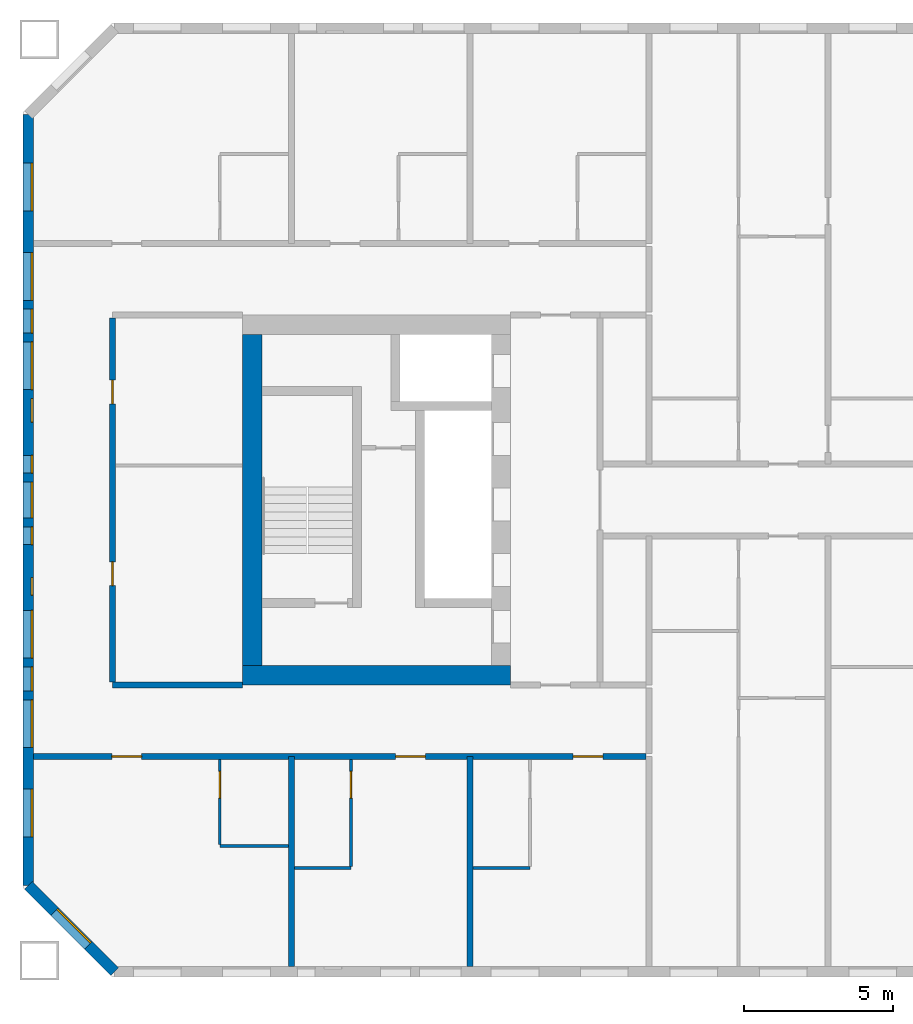
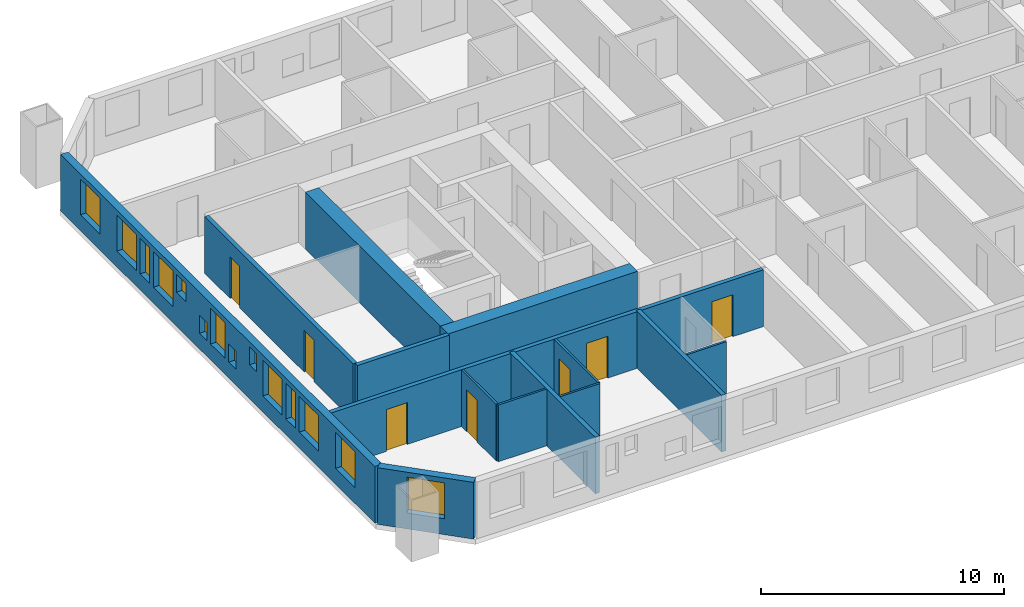
# One storey, part 2 of 17: 14 walls, 14 windows, 7 doors, 21 openings.
"""IFC4 building model written with IfcOpenShell, lengths in metres."""

from ifc_helpers import new_model, si_unit, direction, frame, frame_2d, origin, place, context, subcontext, project, spatial, rectangle, extrude, material, layer, layer_set, type_object, element, fill, save


model = new_model("IFC4")

# Units and contexts
model_context = context("Model", 3, precision=1e-05, world=origin(), true_north=direction((0.0, 1.0)))
body_context = subcontext(model_context, "Body", "Model", "MODEL_VIEW")
ifc_project = project(units=[si_unit("LENGTHUNIT", "METRE"), si_unit("AREAUNIT", "SQUARE_METRE"), si_unit("VOLUMEUNIT", "CUBIC_METRE"), si_unit("PLANEANGLEUNIT", "RADIAN"), si_unit("MASSUNIT", "GRAM", prefix="KILO")], contexts=[model_context])

# Site, building, storey
site_placement = place(None, origin())
site = spatial("IfcSite", under=ifc_project, at=site_placement, CompositionType="ELEMENT")
building_placement = place(site_placement, origin())
building = spatial("IfcBuilding", under=site, at=building_placement, Name="Tuart Gate Housing", CompositionType="ELEMENT")
storey_placement = place(building_placement, frame((0.0, 0.0, 102.60009765625)))
storey = spatial("IfcBuildingStorey", under=building, at=storey_placement, Name="L28", CompositionType="ELEMENT", Elevation=102.60009765625)

# Wall, opening, window
ifc_material_1 = material(Name="Brick", Category="masonry")
ifc_layer_1 = layer(ifc_material_1, 0.360107421875)
ifc_layer_set_1 = layer_set([ifc_layer_1], Name="Brick pier and spandrel wall 360")
wall_type_1 = type_object("IfcWallType", Name="Brick pier and spandrel wall 360", PredefinedType="STANDARD", material=ifc_layer_set_1)
wall_1_placement = place(storey_placement, frame((25.179931640625, 57.07470703125, 0.0), z_axis=(0.0, 0.0, 1.0), x_axis=(0.707106781187, -0.707106781187, 0.0)))
wall_1 = element("IfcWall", 1, at=wall_1_placement, inside=storey, type_object=wall_type_1, Name="External wall A-SW L28", PredefinedType="STANDARD", context=body_context, shape_type="SweptSolid", body=[
    extrude(rectangle(XDim=4.09375, YDim=0.360107421875, at=frame_2d((2.046875, 0.0))), origin(), (0.0, 0.0, 1.0), 2.849853515625),
])
opening_1_placement = place(wall_1_placement, frame((1.2470703125, 0.0, 0.800048828125)))
opening_1 = element("IfcOpeningElement", 2, at=opening_1_placement, cuts=wall_1, Name="Opening W1", PredefinedType="OPENING", context=body_context, shape_type="SweptSolid", body=[
    extrude(rectangle(XDim=1.60009765625, YDim=1.800048828125, at=frame_2d((0.800048828125, 0.89990234375))), frame((0.0, 0.18994140625, 0.0), z_axis=(0.0, -1.0, 0.0), x_axis=(1.0, 0.0, 0.0)), (0.0, 0.0, 1.0), 0.380126953125),
])
ifc_material_2 = material(Name="Aluminium frame with clear glass", Category="aluminium")
window_type_1 = type_object("IfcWindowType", Name="Punched window 1600 x 1800", PartitioningType="SINGLE_PANEL", PredefinedType="WINDOW", material=ifc_material_2)
window_1_placement = place(opening_1_placement, origin())
window_1 = element("IfcWindow", 3, at=window_1_placement, inside=storey, type_object=window_type_1, Name="Window W1", OverallHeight=1.800048828125, OverallWidth=1.60009765625, PartitioningType="SINGLE_PANEL", PredefinedType="WINDOW", context=body_context, shape_type="SweptSolid", body=[
    extrude(rectangle(XDim=1.60009765625, YDim=1.800048828125, at=frame_2d((0.800048828125, 0.89990234375))), frame((0.0, 0.150146484375, 0.0), z_axis=(0.0, -1.0, 0.0), x_axis=(1.0, 0.0, 0.0)), (0.0, 0.0, 1.0), 0.06005859375),
])
fill(opening_1, window_1)

# Wall, openings, windows
wall_2_placement = place(storey_placement, frame((25.179931640625, 82.92529296875, 0.0), z_axis=(0.0, 0.0, 1.0), x_axis=(0.0, -1.0, 0.0)))
wall_2 = element("IfcWall", 4, at=wall_2_placement, inside=storey, type_object=wall_type_1, Name="External wall A-W L28", PredefinedType="STANDARD", context=body_context, shape_type="SweptSolid", body=[
    extrude(rectangle(XDim=25.850830078125, YDim=0.360107421875, at=frame_2d((12.92529296875, 0.0))), origin(), (0.0, 0.0, 1.0), 2.849853515625),
])
opening_2_placement = place(wall_2_placement, frame((1.62548828125, 0.0, 0.800048828125)))
opening_2 = element("IfcOpeningElement", 5, at=opening_2_placement, cuts=wall_2, Name="Opening W1", PredefinedType="OPENING", context=body_context, shape_type="SweptSolid", body=[
    extrude(rectangle(XDim=1.60009765625, YDim=1.800048828125, at=frame_2d((0.800048828125, 0.89990234375))), frame((0.0, 0.18994140625, 0.0), z_axis=(0.0, -1.0, 0.0), x_axis=(1.0, 0.0, 0.0)), (0.0, 0.0, 1.0), 0.380126953125),
])
opening_3_placement = place(wall_2_placement, frame((4.62548828125, 0.0, 0.800048828125)))
opening_3 = element("IfcOpeningElement", 6, at=opening_3_placement, cuts=wall_2, Name="Opening W1", PredefinedType="OPENING", context=body_context, shape_type="SweptSolid", body=[
    extrude(rectangle(XDim=1.60009765625, YDim=1.800048828125, at=frame_2d((0.800048828125, 0.89990234375))), frame((0.0, 0.18994140625, 0.0), z_axis=(0.0, -1.0, 0.0), x_axis=(1.0, 0.0, 0.0)), (0.0, 0.0, 1.0), 0.380126953125),
])
opening_4_placement = place(wall_2_placement, frame((7.62548828125, 0.0, 0.800048828125)))
opening_4 = element("IfcOpeningElement", 7, at=opening_4_placement, cuts=wall_2, Name="Opening W1", PredefinedType="OPENING", context=body_context, shape_type="SweptSolid", body=[
    extrude(rectangle(XDim=1.60009765625, YDim=1.800048828125, at=frame_2d((0.800048828125, 0.89990234375))), frame((0.0, 0.18994140625, 0.0), z_axis=(0.0, -1.0, 0.0), x_axis=(1.0, 0.0, 0.0)), (0.0, 0.0, 1.0), 0.380126953125),
])
opening_5_placement = place(wall_2_placement, frame((6.525390625, 0.0, 0.800048828125)))
opening_5 = element("IfcOpeningElement", 8, at=opening_5_placement, cuts=wall_2, Name="Opening W1D", PredefinedType="OPENING", context=body_context, shape_type="SweptSolid", body=[
    extrude(rectangle(XDim=0.800048828125, YDim=1.800048828125, at=frame_2d((0.39990234375, 0.89990234375))), frame((0.0, 0.18994140625, 0.0), z_axis=(0.0, -1.0, 0.0), x_axis=(1.0, 0.0, 0.0)), (0.0, 0.0, 1.0), 0.380126953125),
])
opening_6_placement = place(wall_2_placement, frame((9.525390625, 0.0, 1.699951171875)))
opening_6 = element("IfcOpeningElement", 9, at=opening_6_placement, cuts=wall_2, Name="Opening W1V", PredefinedType="OPENING", context=body_context, shape_type="SweptSolid", body=[
    extrude(rectangle(XDim=0.800048828125, YDim=0.89990234375, at=frame_2d((0.39990234375, 0.449951171875))), frame((0.0, 0.18994140625, 0.0), z_axis=(0.0, -1.0, 0.0), x_axis=(1.0, 0.0, 0.0)), (0.0, 0.0, 1.0), 0.380126953125),
])
opening_7_placement = place(wall_2_placement, frame((16.62548828125, 0.0, 0.800048828125)))
opening_7 = element("IfcOpeningElement", 10, at=opening_7_placement, cuts=wall_2, Name="Opening W1", PredefinedType="OPENING", context=body_context, shape_type="SweptSolid", body=[
    extrude(rectangle(XDim=1.60009765625, YDim=1.800048828125, at=frame_2d((0.800048828125, 0.89990234375))), frame((0.0, 0.18994140625, 0.0), z_axis=(0.0, -1.0, 0.0), x_axis=(1.0, 0.0, 0.0)), (0.0, 0.0, 1.0), 0.380126953125),
])
opening_8_placement = place(wall_2_placement, frame((19.62548828125, 0.0, 0.800048828125)))
opening_8 = element("IfcOpeningElement", 11, at=opening_8_placement, cuts=wall_2, Name="Opening W1", PredefinedType="OPENING", context=body_context, shape_type="SweptSolid", body=[
    extrude(rectangle(XDim=1.60009765625, YDim=1.800048828125, at=frame_2d((0.800048828125, 0.89990234375))), frame((0.0, 0.18994140625, 0.0), z_axis=(0.0, -1.0, 0.0), x_axis=(1.0, 0.0, 0.0)), (0.0, 0.0, 1.0), 0.380126953125),
])
opening_9_placement = place(wall_2_placement, frame((22.62548828125, 0.0, 0.800048828125)))
opening_9 = element("IfcOpeningElement", 12, at=opening_9_placement, cuts=wall_2, Name="Opening W1", PredefinedType="OPENING", context=body_context, shape_type="SweptSolid", body=[
    extrude(rectangle(XDim=1.60009765625, YDim=1.800048828125, at=frame_2d((0.800048828125, 0.89990234375))), frame((0.0, 0.18994140625, 0.0), z_axis=(0.0, -1.0, 0.0), x_axis=(1.0, 0.0, 0.0)), (0.0, 0.0, 1.0), 0.380126953125),
])
opening_10_placement = place(wall_2_placement, frame((11.42529296875, 0.0, 0.800048828125)))
opening_10 = element("IfcOpeningElement", 13, at=opening_10_placement, cuts=wall_2, Name="Opening W1W", PredefinedType="OPENING", context=body_context, shape_type="SweptSolid", body=[
    extrude(rectangle(XDim=0.60009765625, YDim=0.89990234375, at=frame_2d((0.300048828125, 0.449951171875))), frame((0.0, 0.18994140625, 0.0), z_axis=(0.0, -1.0, 0.0), x_axis=(1.0, 0.0, 0.0)), (0.0, 0.0, 1.0), 0.380126953125),
])
opening_11_placement = place(wall_2_placement, frame((12.325439453125, 0.0, 0.800048828125)))
opening_11 = element("IfcOpeningElement", 14, at=opening_11_placement, cuts=wall_2, Name="Opening W1B", PredefinedType="OPENING", context=body_context, shape_type="SweptSolid", body=[
    extrude(rectangle(XDim=1.199951171875, YDim=1.800048828125, at=frame_2d((0.60009765625, 0.89990234375))), frame((0.0, 0.18994140625, 0.0), z_axis=(0.0, -1.0, 0.0), x_axis=(1.0, 0.0, 0.0)), (0.0, 0.0, 1.0), 0.380126953125),
])
opening_12_placement = place(wall_2_placement, frame((13.825439453125, 0.0, 0.800048828125)))
opening_12 = element("IfcOpeningElement", 15, at=opening_12_placement, cuts=wall_2, Name="Opening W1W", PredefinedType="OPENING", context=body_context, shape_type="SweptSolid", body=[
    extrude(rectangle(XDim=0.60009765625, YDim=0.89990234375, at=frame_2d((0.300048828125, 0.449951171875))), frame((0.0, 0.18994140625, 0.0), z_axis=(0.0, -1.0, 0.0), x_axis=(1.0, 0.0, 0.0)), (0.0, 0.0, 1.0), 0.380126953125),
])
opening_13_placement = place(wall_2_placement, frame((15.525390625, 0.0, 1.699951171875)))
opening_13 = element("IfcOpeningElement", 16, at=opening_13_placement, cuts=wall_2, Name="Opening W1W", PredefinedType="OPENING", context=body_context, shape_type="SweptSolid", body=[
    extrude(rectangle(XDim=0.60009765625, YDim=0.89990234375, at=frame_2d((0.300048828125, 0.449951171875))), frame((0.0, 0.18994140625, 0.0), z_axis=(0.0, -1.0, 0.0), x_axis=(1.0, 0.0, 0.0)), (0.0, 0.0, 1.0), 0.380126953125),
])
opening_14_placement = place(wall_2_placement, frame((18.525390625, 0.0, 0.800048828125)))
opening_14 = element("IfcOpeningElement", 17, at=opening_14_placement, cuts=wall_2, Name="Opening W1D", PredefinedType="OPENING", context=body_context, shape_type="SweptSolid", body=[
    extrude(rectangle(XDim=0.800048828125, YDim=1.800048828125, at=frame_2d((0.39990234375, 0.89990234375))), frame((0.0, 0.18994140625, 0.0), z_axis=(0.0, -1.0, 0.0), x_axis=(1.0, 0.0, 0.0)), (0.0, 0.0, 1.0), 0.380126953125),
])
ifc_material_3 = material(Name="Aluminium frame with clear glass", Category="aluminium")
window_type_2 = type_object("IfcWindowType", Name="Punched window 1200 x 1800", PartitioningType="SINGLE_PANEL", PredefinedType="WINDOW", material=ifc_material_3)
window_2_placement = place(opening_11_placement, origin())
window_2 = element("IfcWindow", 18, at=window_2_placement, inside=storey, type_object=window_type_2, Name="Window W1B", OverallHeight=1.800048828125, OverallWidth=1.199951171875, PartitioningType="SINGLE_PANEL", PredefinedType="WINDOW", context=body_context, shape_type="SweptSolid", body=[
    extrude(rectangle(XDim=1.199951171875, YDim=1.800048828125, at=frame_2d((0.60009765625, 0.89990234375))), frame((0.0, 0.150146484375, 0.0), z_axis=(0.0, -1.0, 0.0), x_axis=(1.0, 0.0, 0.0)), (0.0, 0.0, 1.0), 0.06005859375),
])
fill(opening_11, window_2)
window_3_placement = place(opening_2_placement, origin())
window_3 = element("IfcWindow", 19, at=window_3_placement, inside=storey, type_object=window_type_1, Name="Window W1", OverallHeight=1.800048828125, OverallWidth=1.60009765625, PartitioningType="SINGLE_PANEL", PredefinedType="WINDOW", context=body_context, shape_type="SweptSolid", body=[
    extrude(rectangle(XDim=1.60009765625, YDim=1.800048828125, at=frame_2d((0.800048828125, 0.89990234375))), frame((0.0, 0.150146484375, 0.0), z_axis=(0.0, -1.0, 0.0), x_axis=(1.0, 0.0, 0.0)), (0.0, 0.0, 1.0), 0.06005859375),
])
fill(opening_2, window_3)
window_4_placement = place(opening_3_placement, origin())
window_4 = element("IfcWindow", 20, at=window_4_placement, inside=storey, type_object=window_type_1, Name="Window W1", OverallHeight=1.800048828125, OverallWidth=1.60009765625, PartitioningType="SINGLE_PANEL", PredefinedType="WINDOW", context=body_context, shape_type="SweptSolid", body=[
    extrude(rectangle(XDim=1.60009765625, YDim=1.800048828125, at=frame_2d((0.800048828125, 0.89990234375))), frame((0.0, 0.150146484375, 0.0), z_axis=(0.0, -1.0, 0.0), x_axis=(1.0, 0.0, 0.0)), (0.0, 0.0, 1.0), 0.06005859375),
])
fill(opening_3, window_4)
window_5_placement = place(opening_4_placement, origin())
window_5 = element("IfcWindow", 21, at=window_5_placement, inside=storey, type_object=window_type_1, Name="Window W1", OverallHeight=1.800048828125, OverallWidth=1.60009765625, PartitioningType="SINGLE_PANEL", PredefinedType="WINDOW", context=body_context, shape_type="SweptSolid", body=[
    extrude(rectangle(XDim=1.60009765625, YDim=1.800048828125, at=frame_2d((0.800048828125, 0.89990234375))), frame((0.0, 0.150146484375, 0.0), z_axis=(0.0, -1.0, 0.0), x_axis=(1.0, 0.0, 0.0)), (0.0, 0.0, 1.0), 0.06005859375),
])
fill(opening_4, window_5)
window_6_placement = place(opening_7_placement, origin())
window_6 = element("IfcWindow", 22, at=window_6_placement, inside=storey, type_object=window_type_1, Name="Window W1", OverallHeight=1.800048828125, OverallWidth=1.60009765625, PartitioningType="SINGLE_PANEL", PredefinedType="WINDOW", context=body_context, shape_type="SweptSolid", body=[
    extrude(rectangle(XDim=1.60009765625, YDim=1.800048828125, at=frame_2d((0.800048828125, 0.89990234375))), frame((0.0, 0.150146484375, 0.0), z_axis=(0.0, -1.0, 0.0), x_axis=(1.0, 0.0, 0.0)), (0.0, 0.0, 1.0), 0.06005859375),
])
fill(opening_7, window_6)
window_7_placement = place(opening_8_placement, origin())
window_7 = element("IfcWindow", 23, at=window_7_placement, inside=storey, type_object=window_type_1, Name="Window W1", OverallHeight=1.800048828125, OverallWidth=1.60009765625, PartitioningType="SINGLE_PANEL", PredefinedType="WINDOW", context=body_context, shape_type="SweptSolid", body=[
    extrude(rectangle(XDim=1.60009765625, YDim=1.800048828125, at=frame_2d((0.800048828125, 0.89990234375))), frame((0.0, 0.150146484375, 0.0), z_axis=(0.0, -1.0, 0.0), x_axis=(1.0, 0.0, 0.0)), (0.0, 0.0, 1.0), 0.06005859375),
])
fill(opening_8, window_7)
window_8_placement = place(opening_9_placement, origin())
window_8 = element("IfcWindow", 24, at=window_8_placement, inside=storey, type_object=window_type_1, Name="Window W1", OverallHeight=1.800048828125, OverallWidth=1.60009765625, PartitioningType="SINGLE_PANEL", PredefinedType="WINDOW", context=body_context, shape_type="SweptSolid", body=[
    extrude(rectangle(XDim=1.60009765625, YDim=1.800048828125, at=frame_2d((0.800048828125, 0.89990234375))), frame((0.0, 0.150146484375, 0.0), z_axis=(0.0, -1.0, 0.0), x_axis=(1.0, 0.0, 0.0)), (0.0, 0.0, 1.0), 0.06005859375),
])
fill(opening_9, window_8)
ifc_material_4 = material(Name="Aluminium frame with clear glass", Category="aluminium")
window_type_3 = type_object("IfcWindowType", Name="Punched window 600 x 900", PartitioningType="SINGLE_PANEL", PredefinedType="WINDOW", material=ifc_material_4)
window_9_placement = place(opening_10_placement, origin())
window_9 = element("IfcWindow", 25, at=window_9_placement, inside=storey, type_object=window_type_3, Name="Window W1W", OverallHeight=0.89990234375, OverallWidth=0.60009765625, PartitioningType="SINGLE_PANEL", PredefinedType="WINDOW", context=body_context, shape_type="SweptSolid", body=[
    extrude(rectangle(XDim=0.60009765625, YDim=0.89990234375, at=frame_2d((0.300048828125, 0.449951171875))), frame((0.0, 0.150146484375, 0.0), z_axis=(0.0, -1.0, 0.0), x_axis=(1.0, 0.0, 0.0)), (0.0, 0.0, 1.0), 0.06005859375),
])
fill(opening_10, window_9)
window_10_placement = place(opening_12_placement, origin())
window_10 = element("IfcWindow", 26, at=window_10_placement, inside=storey, type_object=window_type_3, Name="Window W1W", OverallHeight=0.89990234375, OverallWidth=0.60009765625, PartitioningType="SINGLE_PANEL", PredefinedType="WINDOW", context=body_context, shape_type="SweptSolid", body=[
    extrude(rectangle(XDim=0.60009765625, YDim=0.89990234375, at=frame_2d((0.300048828125, 0.449951171875))), frame((0.0, 0.150146484375, 0.0), z_axis=(0.0, -1.0, 0.0), x_axis=(1.0, 0.0, 0.0)), (0.0, 0.0, 1.0), 0.06005859375),
])
fill(opening_12, window_10)
window_11_placement = place(opening_13_placement, origin())
window_11 = element("IfcWindow", 27, at=window_11_placement, inside=storey, type_object=window_type_3, Name="Window W1W", OverallHeight=0.89990234375, OverallWidth=0.60009765625, PartitioningType="SINGLE_PANEL", PredefinedType="WINDOW", context=body_context, shape_type="SweptSolid", body=[
    extrude(rectangle(XDim=0.60009765625, YDim=0.89990234375, at=frame_2d((0.300048828125, 0.449951171875))), frame((0.0, 0.150146484375, 0.0), z_axis=(0.0, -1.0, 0.0), x_axis=(1.0, 0.0, 0.0)), (0.0, 0.0, 1.0), 0.06005859375),
])
fill(opening_13, window_11)
ifc_material_5 = material(Name="Aluminium frame with clear glass", Category="aluminium")
window_type_4 = type_object("IfcWindowType", Name="Punched window 800 x 1800", PartitioningType="SINGLE_PANEL", PredefinedType="WINDOW", material=ifc_material_5)
window_12_placement = place(opening_5_placement, origin())
window_12 = element("IfcWindow", 28, at=window_12_placement, inside=storey, type_object=window_type_4, Name="Window W1D", OverallHeight=1.800048828125, OverallWidth=0.800048828125, PartitioningType="SINGLE_PANEL", PredefinedType="WINDOW", context=body_context, shape_type="SweptSolid", body=[
    extrude(rectangle(XDim=0.800048828125, YDim=1.800048828125, at=frame_2d((0.39990234375, 0.89990234375))), frame((0.0, 0.150146484375, 0.0), z_axis=(0.0, -1.0, 0.0), x_axis=(1.0, 0.0, 0.0)), (0.0, 0.0, 1.0), 0.06005859375),
])
fill(opening_5, window_12)
window_13_placement = place(opening_14_placement, origin())
window_13 = element("IfcWindow", 29, at=window_13_placement, inside=storey, type_object=window_type_4, Name="Window W1D", OverallHeight=1.800048828125, OverallWidth=0.800048828125, PartitioningType="SINGLE_PANEL", PredefinedType="WINDOW", context=body_context, shape_type="SweptSolid", body=[
    extrude(rectangle(XDim=0.800048828125, YDim=1.800048828125, at=frame_2d((0.39990234375, 0.89990234375))), frame((0.0, 0.150146484375, 0.0), z_axis=(0.0, -1.0, 0.0), x_axis=(1.0, 0.0, 0.0)), (0.0, 0.0, 1.0), 0.06005859375),
])
fill(opening_14, window_13)
ifc_material_6 = material(Name="Aluminium frame with clear glass", Category="aluminium")
window_type_5 = type_object("IfcWindowType", Name="Punched window 800 x 900", PartitioningType="SINGLE_PANEL", PredefinedType="WINDOW", material=ifc_material_6)
window_14_placement = place(opening_6_placement, origin())
window_14 = element("IfcWindow", 30, at=window_14_placement, inside=storey, type_object=window_type_5, Name="Window W1V", OverallHeight=0.89990234375, OverallWidth=0.800048828125, PartitioningType="SINGLE_PANEL", PredefinedType="WINDOW", context=body_context, shape_type="SweptSolid", body=[
    extrude(rectangle(XDim=0.800048828125, YDim=0.89990234375, at=frame_2d((0.39990234375, 0.449951171875))), frame((0.0, 0.150146484375, 0.0), z_axis=(0.0, -1.0, 0.0), x_axis=(1.0, 0.0, 0.0)), (0.0, 0.0, 1.0), 0.06005859375),
])
fill(opening_6, window_14)

# Walls
ifc_material_7 = material(Name="Concrete C50", Category="concrete")
ifc_layer_2 = layer(ifc_material_7, 0.64990234375)
ifc_layer_set_2 = layer_set([ifc_layer_2], Name="Core wall 650 C50")
wall_type_2 = type_object("IfcWallType", Name="Core wall 650 C50", PredefinedType="SHEAR", material=ifc_layer_set_2)
wall_3_placement = place(storey_placement, frame((32.68505859375, 75.550048828125, 0.0), z_axis=(0.0, 0.0, 1.0), x_axis=(0.0, -1.0, 0.0)))
element("IfcWall", 31, at=wall_3_placement, inside=storey, type_object=wall_type_2, Name="Core wall AK back", PredefinedType="SHEAR", context=body_context, shape_type="SweptSolid", body=[
    extrude(rectangle(XDim=11.10009765625, YDim=0.64990234375, at=frame_2d((5.550048828125, 0.0))), origin(), (0.0, 0.0, 1.0), 2.849853515625),
])
wall_4_placement = place(storey_placement, frame((41.360107421875, 64.125, 0.0), z_axis=(0.0, 0.0, 1.0), x_axis=(-1.0, 0.0, 0.0)))
element("IfcWall", 32, at=wall_4_placement, inside=storey, type_object=wall_type_2, Name="Core wall AK north", PredefinedType="SHEAR", context=body_context, shape_type="SweptSolid", body=[
    extrude(rectangle(XDim=9.0, YDim=0.64990234375, at=frame_2d((4.5, 0.0))), origin(), (0.0, 0.0, 1.0), 2.849853515625),
])

# Wall, openings, doors
ifc_material_8 = material(Name="Concrete masonry 15 MPa", Category="masonry")
ifc_layer_3 = layer(ifc_material_8, 0.199951171875)
ifc_layer_set_3 = layer_set([ifc_layer_3], Name="Corridor wall masonry 200")
wall_type_3 = type_object("IfcWallType", Name="Corridor wall masonry 200", PredefinedType="PARTITIONING", material=ifc_layer_set_3)
wall_5_placement = place(storey_placement, frame((25.360107421875, 61.39990234375, 0.0), z_axis=(0.0, 0.0, 1.0), x_axis=(1.0, 0.0, 0.0)))
wall_5 = element("IfcWall", 33, at=wall_5_placement, inside=storey, type_object=wall_type_3, Name="Corridor wall masonry 200", PredefinedType="PARTITIONING", context=body_context, shape_type="SweptSolid", body=[
    extrude(rectangle(XDim=20.539794921875, YDim=0.199951171875, at=frame_2d((10.27001953125, 0.0))), origin(), (0.0, 0.0, 1.0), 2.849853515625),
])
opening_15_placement = place(wall_5_placement, frame((18.090087890625, 0.0, 0.0)))
opening_15 = element("IfcOpeningElement", 34, at=opening_15_placement, cuts=wall_5, Name="Opening D1113", PredefinedType="OPENING", context=body_context, shape_type="SweptSolid", body=[
    extrude(rectangle(XDim=1.0, YDim=2.10009765625, at=frame_2d((0.5, 1.050048828125))), frame((0.0, 0.10986328125, 0.0), z_axis=(0.0, -1.0, 0.0), x_axis=(1.0, 0.0, 0.0)), (0.0, 0.0, 1.0), 0.219970703125),
])
opening_16_placement = place(wall_5_placement, frame((12.139892578125, 0.0, 0.0)))
opening_16 = element("IfcOpeningElement", 35, at=opening_16_placement, cuts=wall_5, Name="Opening D1114", PredefinedType="OPENING", context=body_context, shape_type="SweptSolid", body=[
    extrude(rectangle(XDim=1.0, YDim=2.10009765625, at=frame_2d((0.5, 1.050048828125))), frame((0.0, 0.10986328125, 0.0), z_axis=(0.0, -1.0, 0.0), x_axis=(1.0, 0.0, 0.0)), (0.0, 0.0, 1.0), 0.219970703125),
])
opening_17_placement = place(wall_5_placement, frame((2.6201171875, 0.0, 0.0)))
opening_17 = element("IfcOpeningElement", 36, at=opening_17_placement, cuts=wall_5, Name="Opening D1115", PredefinedType="OPENING", context=body_context, shape_type="SweptSolid", body=[
    extrude(rectangle(XDim=1.0, YDim=2.10009765625, at=frame_2d((0.5, 1.050048828125))), frame((0.0, 0.10986328125, 0.0), z_axis=(0.0, -1.0, 0.0), x_axis=(1.0, 0.0, 0.0)), (0.0, 0.0, 1.0), 0.219970703125),
])
ifc_material_9 = material(Name="Timber door leaf in steel frame", Category="steel")
door_type_1 = type_object("IfcDoorType", Name="Flat entrance door 1000 RH", OperationType="SINGLE_SWING_RIGHT", PredefinedType="DOOR", material=ifc_material_9)
door_1_placement = place(opening_15_placement, frame((1.0, 0.0, 0.0), z_axis=(0.0, 0.0, 1.0), x_axis=(-1.0, 0.0, 0.0)))
door_1 = element("IfcDoor", 37, at=door_1_placement, inside=storey, type_object=door_type_1, Name="Flat entrance door", OperationType="SINGLE_SWING_RIGHT", OverallHeight=2.10009765625, OverallWidth=1.0, PredefinedType="DOOR", context=body_context, shape_type="SweptSolid", body=[
    extrude(rectangle(XDim=1.0, YDim=2.10009765625, at=frame_2d((0.5, 1.050048828125))), frame((0.0, 0.025146484375, 0.0), z_axis=(0.0, -1.0, 0.0), x_axis=(1.0, 0.0, 0.0)), (0.0, 0.0, 1.0), 0.050048828125),
])
fill(opening_15, door_1)
door_2_placement = place(opening_16_placement, frame((1.0, 0.0, 0.0), z_axis=(0.0, 0.0, 1.0), x_axis=(-1.0, 0.0, 0.0)))
door_2 = element("IfcDoor", 38, at=door_2_placement, inside=storey, type_object=door_type_1, Name="Flat entrance door", OperationType="SINGLE_SWING_RIGHT", OverallHeight=2.10009765625, OverallWidth=1.0, PredefinedType="DOOR", context=body_context, shape_type="SweptSolid", body=[
    extrude(rectangle(XDim=1.0, YDim=2.10009765625, at=frame_2d((0.5, 1.050048828125))), frame((0.0, 0.025146484375, 0.0), z_axis=(0.0, -1.0, 0.0), x_axis=(1.0, 0.0, 0.0)), (0.0, 0.0, 1.0), 0.050048828125),
])
fill(opening_16, door_2)
door_3_placement = place(opening_17_placement, frame((1.0, 0.0, 0.0), z_axis=(0.0, 0.0, 1.0), x_axis=(-1.0, 0.0, 0.0)))
door_3 = element("IfcDoor", 39, at=door_3_placement, inside=storey, type_object=door_type_1, Name="Flat entrance door", OperationType="SINGLE_SWING_RIGHT", OverallHeight=2.10009765625, OverallWidth=1.0, PredefinedType="DOOR", context=body_context, shape_type="SweptSolid", body=[
    extrude(rectangle(XDim=1.0, YDim=2.10009765625, at=frame_2d((0.5, 1.050048828125))), frame((0.0, 0.025146484375, 0.0), z_axis=(0.0, -1.0, 0.0), x_axis=(1.0, 0.0, 0.0)), (0.0, 0.0, 1.0), 0.050048828125),
])
fill(opening_17, door_3)

# Wall
wall_6_placement = place(storey_placement, frame((28.0, 63.800048828125, 0.0), z_axis=(0.0, 0.0, 1.0), x_axis=(1.0, 0.0, 0.0)))
element("IfcWall", 40, at=wall_6_placement, inside=storey, type_object=wall_type_3, Name="Corridor wall masonry 200", PredefinedType="PARTITIONING", context=body_context, shape_type="SweptSolid", body=[
    extrude(rectangle(XDim=4.360107421875, YDim=0.199951171875, at=frame_2d((2.18017578125, 0.0))), origin(), (0.0, 0.0, 1.0), 2.849853515625),
])

# Wall, openings, doors
wall_7_placement = place(storey_placement, frame((28.0, 63.89990234375, 0.0), z_axis=(0.0, 0.0, 1.0), x_axis=(0.0, 1.0, 0.0)))
wall_7 = element("IfcWall", 41, at=wall_7_placement, inside=storey, type_object=wall_type_3, Name="Corridor wall masonry 200", PredefinedType="PARTITIONING", context=body_context, shape_type="SweptSolid", body=[
    extrude(rectangle(XDim=12.2001953125, YDim=0.199951171875, at=frame_2d((6.10009765625, 0.0))), origin(), (0.0, 0.0, 1.0), 2.849853515625),
])
opening_18_placement = place(wall_7_placement, frame((3.22509765625, 0.0, 0.0)))
opening_18 = element("IfcOpeningElement", 42, at=opening_18_placement, cuts=wall_7, Name="Opening D1092", PredefinedType="OPENING", context=body_context, shape_type="SweptSolid", body=[
    extrude(rectangle(XDim=0.800048828125, YDim=2.10009765625, at=frame_2d((0.39990234375, 1.050048828125))), frame((0.0, 0.10986328125, 0.0), z_axis=(0.0, -1.0, 0.0), x_axis=(1.0, 0.0, 0.0)), (0.0, 0.0, 1.0), 0.219970703125),
])
opening_19_placement = place(wall_7_placement, frame((9.324951171875, 0.0, 0.0)))
opening_19 = element("IfcOpeningElement", 43, at=opening_19_placement, cuts=wall_7, Name="Opening D1093", PredefinedType="OPENING", context=body_context, shape_type="SweptSolid", body=[
    extrude(rectangle(XDim=0.800048828125, YDim=2.10009765625, at=frame_2d((0.39990234375, 1.050048828125))), frame((0.0, 0.10986328125, 0.0), z_axis=(0.0, -1.0, 0.0), x_axis=(1.0, 0.0, 0.0)), (0.0, 0.0, 1.0), 0.219970703125),
])
ifc_material_10 = material(Name="Timber door leaf in steel frame", Category="steel")
door_type_2 = type_object("IfcDoorType", Name="Store door 800", OperationType="SINGLE_SWING_LEFT", PredefinedType="DOOR", material=ifc_material_10)
door_4_placement = place(opening_18_placement, frame((0.800048828125, 0.0, 0.0), z_axis=(0.0, 0.0, 1.0), x_axis=(-1.0, 0.0, 0.0)))
door_4 = element("IfcDoor", 44, at=door_4_placement, inside=storey, type_object=door_type_2, Name="Store door", OperationType="SINGLE_SWING_LEFT", OverallHeight=2.10009765625, OverallWidth=0.800048828125, PredefinedType="DOOR", context=body_context, shape_type="SweptSolid", body=[
    extrude(rectangle(XDim=0.800048828125, YDim=2.10009765625, at=frame_2d((0.400146484375, 1.050048828125))), frame((0.0, 0.025146484375, 0.0), z_axis=(0.0, -1.0, 0.0), x_axis=(1.0, 0.0, 0.0)), (0.0, 0.0, 1.0), 0.050048828125),
])
fill(opening_18, door_4)
ifc_material_11 = material(Name="Timber door leaf in steel frame", Category="steel")
door_type_3 = type_object("IfcDoorType", Name="Store door 800 RH", OperationType="SINGLE_SWING_RIGHT", PredefinedType="DOOR", material=ifc_material_11)
door_5_placement = place(opening_19_placement, frame((0.800048828125, 0.0, 0.0), z_axis=(0.0, 0.0, 1.0), x_axis=(-1.0, 0.0, 0.0)))
door_5 = element("IfcDoor", 45, at=door_5_placement, inside=storey, type_object=door_type_3, Name="Store door", OperationType="SINGLE_SWING_RIGHT", OverallHeight=2.10009765625, OverallWidth=0.800048828125, PredefinedType="DOOR", context=body_context, shape_type="SweptSolid", body=[
    extrude(rectangle(XDim=0.800048828125, YDim=2.10009765625, at=frame_2d((0.400146484375, 1.050048828125))), frame((0.0, 0.025146484375, 0.0), z_axis=(0.0, -1.0, 0.0), x_axis=(1.0, 0.0, 0.0)), (0.0, 0.0, 1.0), 0.050048828125),
])
fill(opening_19, door_5)

# Walls
ifc_material_12 = material(Name="Gypsum board on steel studs", Category="steel")
ifc_layer_4 = layer(ifc_material_12, 0.10009765625)
ifc_layer_set_4 = layer_set([ifc_layer_4], Name="Partition 100")
wall_type_4 = type_object("IfcWallType", Name="Partition 100", PredefinedType="PARTITIONING", material=ifc_layer_set_4)
for number, where, z_axis, x_axis, name in (
    (46, (34.10009765625, 57.64990234375, 0.0), (0.0, 0.0, 1.0), (1.0, 0.0, 0.0), "Partition 100"),
    (47, (40.10009765625, 57.64990234375, 0.0), (0.0, 0.0, 1.0), (1.0, 0.0, 0.0), "Partition 100"),
):
    element("IfcWall", number, at=place(storey_placement, frame(where, z_axis=z_axis, x_axis=x_axis)), inside=storey, type_object=wall_type_4, Name=name, PredefinedType="PARTITIONING", context=body_context, shape_type="SweptSolid", body=[
        extrude(rectangle(XDim=1.89990234375, YDim=0.10009765625, at=frame_2d((0.949951171875, 0.0))), origin(), (0.0, 0.0, 1.0), 2.849853515625),
    ])
wall_8_placement = place(storey_placement, frame((31.60009765625, 58.39990234375, 0.0), z_axis=(0.0, 0.0, 1.0), x_axis=(1.0, 0.0, 0.0)))
element("IfcWall", 48, at=wall_8_placement, inside=storey, type_object=wall_type_4, Name="Partition 100", PredefinedType="PARTITIONING", context=body_context, shape_type="SweptSolid", body=[
    extrude(rectangle(XDim=2.2998046875, YDim=0.10009765625, at=frame_2d((1.14990234375, 0.0))), origin(), (0.0, 0.0, 1.0), 2.849853515625),
])

# Wall, opening, door
wall_9_placement = place(storey_placement, frame((31.60009765625, 58.449951171875, 0.0), z_axis=(0.0, 0.0, 1.0), x_axis=(0.0, 1.0, 0.0)))
wall_9 = element("IfcWall", 49, at=wall_9_placement, inside=storey, type_object=wall_type_4, Name="Partition 100", PredefinedType="PARTITIONING", context=body_context, shape_type="SweptSolid", body=[
    extrude(rectangle(XDim=2.85009765625, YDim=0.10009765625, at=frame_2d((1.425048828125, 0.0))), origin(), (0.0, 0.0, 1.0), 2.849853515625),
])
opening_20_placement = place(wall_9_placement, frame((1.550048828125, 0.0, 0.0)))
opening_20 = element("IfcOpeningElement", 50, at=opening_20_placement, cuts=wall_9, Name="Opening D1118", PredefinedType="OPENING", context=body_context, shape_type="SweptSolid", body=[
    extrude(rectangle(XDim=0.89990234375, YDim=2.10009765625, at=frame_2d((0.449951171875, 1.050048828125))), frame((0.0, 0.06005859375, 0.0), z_axis=(0.0, -1.0, 0.0), x_axis=(1.0, 0.0, 0.0)), (0.0, 0.0, 1.0), 0.1201171875),
])
ifc_material_13 = material(Name="Timber door leaf in steel frame", Category="steel")
door_type_4 = type_object("IfcDoorType", Name="Bathroom door 900", OperationType="SINGLE_SWING_LEFT", PredefinedType="DOOR", material=ifc_material_13)
door_6_placement = place(opening_20_placement, frame((0.89990234375, 0.0, 0.0), z_axis=(0.0, 0.0, 1.0), x_axis=(-1.0, 0.0, 0.0)))
door_6 = element("IfcDoor", 51, at=door_6_placement, inside=storey, type_object=door_type_4, Name="Bathroom door", OperationType="SINGLE_SWING_LEFT", OverallHeight=2.10009765625, OverallWidth=0.89990234375, PredefinedType="DOOR", context=body_context, shape_type="SweptSolid", body=[
    extrude(rectangle(XDim=0.89990234375, YDim=2.10009765625, at=frame_2d((0.449951171875, 1.050048828125))), frame((0.0, 0.025146484375, 0.0), z_axis=(0.0, -1.0, 0.0), x_axis=(1.0, 0.0, 0.0)), (0.0, 0.0, 1.0), 0.050048828125),
])
fill(opening_20, door_6)

wall_10_placement = place(storey_placement, frame((36.0, 57.699951171875, 0.0), z_axis=(0.0, 0.0, 1.0), x_axis=(0.0, 1.0, 0.0)))
wall_10 = element("IfcWall", 52, at=wall_10_placement, inside=storey, type_object=wall_type_4, Name="Partition 100", PredefinedType="PARTITIONING", context=body_context, shape_type="SweptSolid", body=[
    extrude(rectangle(XDim=3.60009765625, YDim=0.10009765625, at=frame_2d((1.800048828125, 0.0))), origin(), (0.0, 0.0, 1.0), 2.849853515625),
])
opening_21_placement = place(wall_10_placement, frame((2.300048828125, 0.0, 0.0)))
opening_21 = element("IfcOpeningElement", 53, at=opening_21_placement, cuts=wall_10, Name="Opening D1121", PredefinedType="OPENING", context=body_context, shape_type="SweptSolid", body=[
    extrude(rectangle(XDim=0.89990234375, YDim=2.10009765625, at=frame_2d((0.449951171875, 1.050048828125))), frame((0.0, 0.06005859375, 0.0), z_axis=(0.0, -1.0, 0.0), x_axis=(1.0, 0.0, 0.0)), (0.0, 0.0, 1.0), 0.1201171875),
])
ifc_material_14 = material(Name="Timber door leaf in steel frame", Category="steel")
door_type_5 = type_object("IfcDoorType", Name="Bathroom door 900 RH", OperationType="SINGLE_SWING_RIGHT", PredefinedType="DOOR", material=ifc_material_14)
door_7_placement = place(opening_21_placement, origin())
door_7 = element("IfcDoor", 54, at=door_7_placement, inside=storey, type_object=door_type_5, Name="Bathroom door", OperationType="SINGLE_SWING_RIGHT", OverallHeight=2.10009765625, OverallWidth=0.89990234375, PredefinedType="DOOR", context=body_context, shape_type="SweptSolid", body=[
    extrude(rectangle(XDim=0.89990234375, YDim=2.10009765625, at=frame_2d((0.449951171875, 1.050048828125))), frame((0.0, 0.02490234375, 0.0), z_axis=(0.0, -1.0, 0.0), x_axis=(1.0, 0.0, 0.0)), (0.0, 0.0, 1.0), 0.050048828125),
])
fill(opening_21, door_7)

# Walls
ifc_material_15 = material(Name="Concrete C40", Category="concrete")
ifc_layer_5 = layer(ifc_material_15, 0.199951171875)
ifc_layer_set_5 = layer_set([ifc_layer_5], Name="Party wall concrete C40 200")
wall_type_5 = type_object("IfcWallType", Name="Party wall concrete C40 200", PredefinedType="SOLIDWALL", material=ifc_layer_set_5)
for number, where, z_axis, x_axis, name in (
    (55, (34.0, 54.360107421875, 0.0), (0.0, 0.0, 1.0), (0.0, 1.0, 0.0), "Party wall concrete C40 200"),
    (56, (40.0, 54.360107421875, 0.0), (0.0, 0.0, 1.0), (0.0, 1.0, 0.0), "Party wall concrete C40 200"),
):
    element("IfcWall", number, at=place(storey_placement, frame(where, z_axis=z_axis, x_axis=x_axis)), inside=storey, type_object=wall_type_5, Name=name, PredefinedType="SOLIDWALL", context=body_context, shape_type="SweptSolid", body=[
        extrude(rectangle(XDim=7.039794921875, YDim=0.199951171875, at=frame_2d((3.52001953125, 0.0))), origin(), (0.0, 0.0, 1.0), 2.849853515625),
    ])

save(model, "model.ifc")
